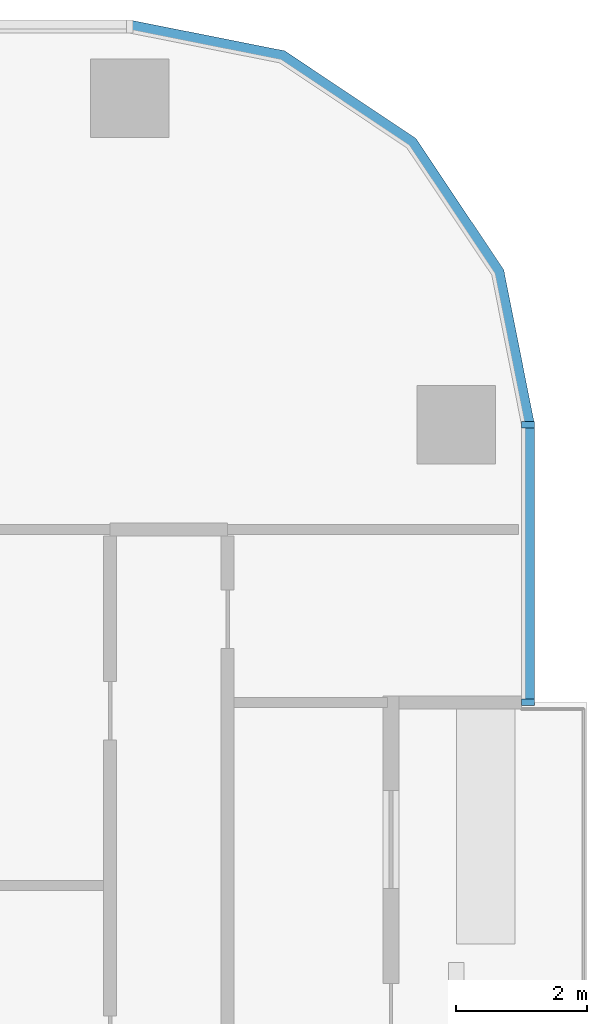
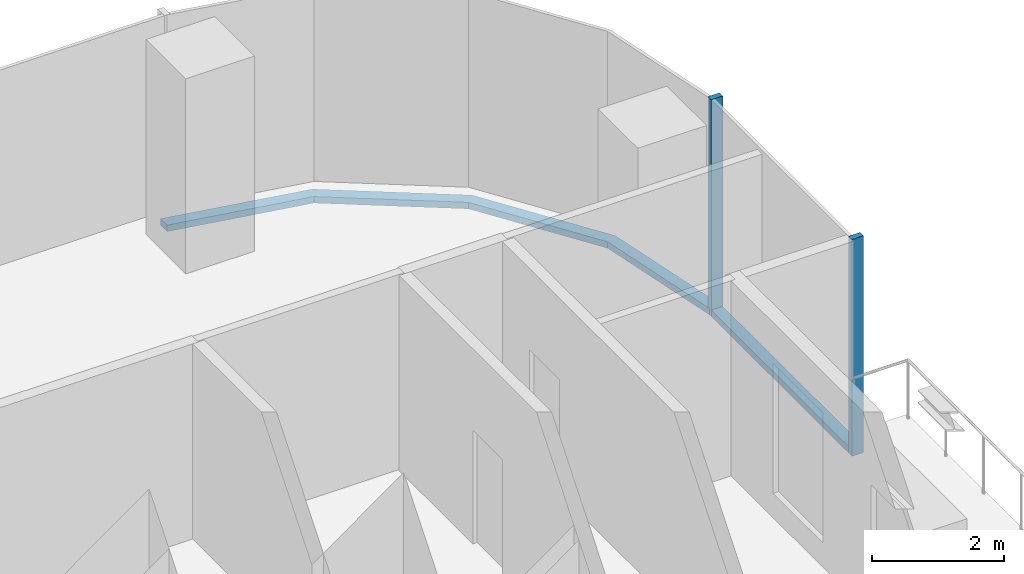
# One storey, part 5 of 15: 4 members, 2 elements without a shape of their own.
"""IFC4 building model written with IfcOpenShell, lengths in metres."""

from ifc_helpers import new_model, si_unit, direction, frame, origin, origin_2d, place, context, subcontext, project, spatial, polyline, rectangle, outline, extrude, material, material_profile, profile_set, type_object, element, aggregate, save


model = new_model("IFC4")

# Units and contexts
model_context = context("Model", 3, precision=1e-05, world=origin(), true_north=direction((0.0, 1.0)))
body_context = subcontext(model_context, "Body", "Model", "MODEL_VIEW")
ifc_project = project(units=[si_unit("LENGTHUNIT", "METRE"), si_unit("AREAUNIT", "SQUARE_METRE"), si_unit("VOLUMEUNIT", "CUBIC_METRE"), si_unit("PLANEANGLEUNIT", "RADIAN"), si_unit("MASSUNIT", "GRAM", prefix="KILO")], contexts=[model_context])

# Site, building, storey
site_placement = place(None, origin())
site = spatial("IfcSite", under=ifc_project, at=site_placement, CompositionType="ELEMENT")
building_placement = place(site_placement, origin())
building = spatial("IfcBuilding", under=site, at=building_placement, Name="Mopane Tessera Tower", CompositionType="ELEMENT")
storey_placement = place(building_placement, frame((0.0, 0.0, 173.0)))
storey = spatial("IfcBuildingStorey", under=building, at=storey_placement, Name="L35", CompositionType="ELEMENT", Elevation=173.0)

# Curtain wall, members
ifc_material_1 = material(Name="Aluminium frame", Category="aluminium")
curtain_wall_type = type_object("IfcCurtainWallType", Name="Unitised curtain wall", PredefinedType="NOTDEFINED", material=ifc_material_1)
curtain_wall_1_placement = place(storey_placement, origin())
curtain_wall_1 = element("IfcCurtainWall", 1, at=curtain_wall_1_placement, inside=storey, type_object=curtain_wall_type, Name="e:cw:L35:E:7", PredefinedType="NOTDEFINED")
ifc_material_2 = material(Name="Aluminium frame", Category="aluminium")
ifc_material_profile_1 = material_profile(ifc_material_2, rectangle(XDim=0.10009765625, YDim=0.199951171875, at=origin_2d()))
ifc_profile_set_1 = profile_set([ifc_material_profile_1], Name="Aluminium frame")
member_type_1 = type_object("IfcMemberType", Name="Aluminium mullion 100 x 200", PredefinedType="MULLION", material=ifc_profile_set_1)
member_1_placement = place(storey_placement, frame((26.300048828125, 12.75, -0.39990234375), z_axis=(0.0, 0.0, 1.0), x_axis=(0.0, 1.0, 0.0)))
member_1 = element("IfcMember", 2, at=member_1_placement, type_object=member_type_1, Name="e:cw:L35:E:7:mu7", PredefinedType="MULLION", context=body_context, shape_type="SweptSolid", body=[
    extrude(rectangle(XDim=0.10009765625, YDim=0.199951171875, at=origin_2d()), origin(), (0.0, 0.0, 1.0), 4.0),
])
member_2_placement = place(storey_placement, frame((26.300048828125, 17.0, -0.39990234375), z_axis=(0.0, 0.0, 1.0), x_axis=(0.0, 1.0, 0.0)))
member_2 = element("IfcMember", 3, at=member_2_placement, type_object=member_type_1, Name="e:cw:L35:E:7:mu8", PredefinedType="MULLION", context=body_context, shape_type="SweptSolid", body=[
    extrude(rectangle(XDim=0.10009765625, YDim=0.199951171875, at=origin_2d()), origin(), (0.0, 0.0, 1.0), 4.0),
])
ifc_material_3 = material(Name="Aluminium frame", Category="aluminium")
ifc_material_profile_2 = material_profile(ifc_material_3, rectangle(XDim=0.199951171875, YDim=0.1201171875, at=origin_2d()))
ifc_profile_set_2 = profile_set([ifc_material_profile_2], Name="Aluminium frame")
member_type_2 = type_object("IfcMemberType", Name="Aluminium transom 200 x 120", PredefinedType="USERDEFINED", material=ifc_profile_set_2)
member_3_placement = place(storey_placement, frame((26.300048828125, 12.800048828125, -0.340087890625), z_axis=(0.0, 1.0, 0.0), x_axis=(-1.0, 0.0, 0.0)))
member_3 = element("IfcMember", 4, at=member_3_placement, type_object=member_type_2, Name="e:cw:L35:E:7:tr7", ObjectType="TRANSOM", PredefinedType="USERDEFINED", context=body_context, shape_type="SweptSolid", body=[
    extrude(rectangle(XDim=0.199951171875, YDim=0.1201171875, at=origin_2d()), origin(), (0.0, 0.0, 1.0), 4.14990234375),
])
aggregate(curtain_wall_1, [member_1, member_2, member_3])

# Curtain wall, member
curtain_wall_2_placement = place(storey_placement, origin())
curtain_wall_2 = element("IfcCurtainWall", 5, at=curtain_wall_2_placement, inside=storey, type_object=curtain_wall_type, Name="e:cw:L35:CE", PredefinedType="NOTDEFINED")
member_4_placement = place(storey_placement, frame((0.0, 0.0, -0.39990234375)))
member_4 = element("IfcMember", 6, at=member_4_placement, type_object=member_type_2, Name="e:cw:L35:CE:tr", ObjectType="TRANSOM", PredefinedType="USERDEFINED", context=body_context, shape_type="SweptSolid", body=[
    extrude(outline(polyline([(26.199951171875, 17.0), (25.7431640625, 19.296142578125), (24.442626953125, 21.24267578125), (22.49609375, 22.543212890625), (20.199951171875, 23.0), (20.199951171875, 23.199951171875), (22.57275390625, 22.72802734375), (24.583984375, 21.384033203125), (25.927978515625, 19.37255859375), (26.39990234375, 17.0), (26.199951171875, 17.0)])), origin(), (0.0, 0.0, 1.0), 0.119873046875),
])
aggregate(curtain_wall_2, [member_4])

save(model, "model.ifc")
